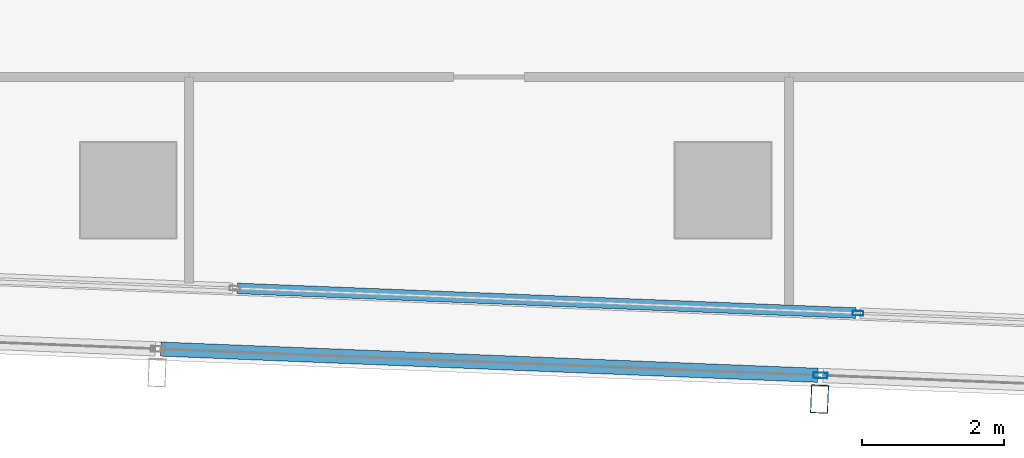
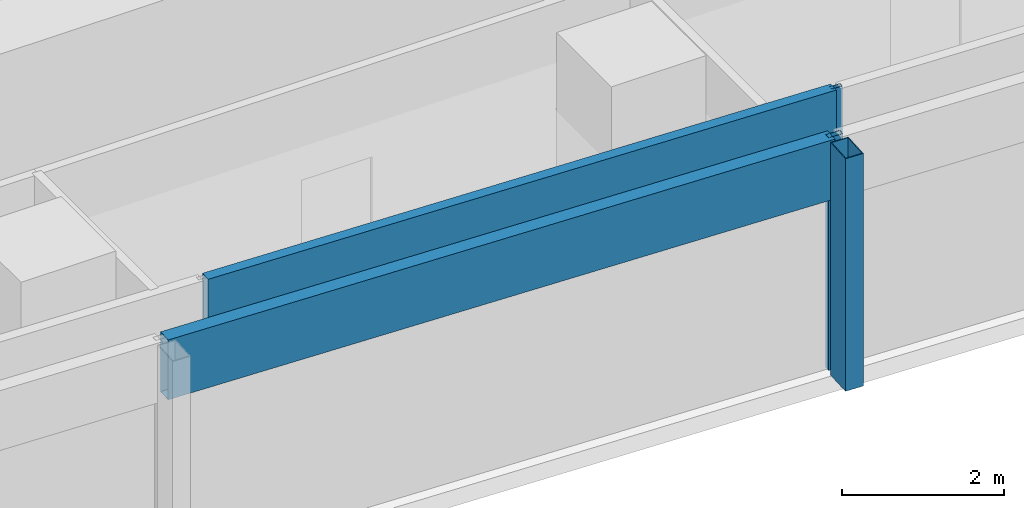
# One storey, part 7 of 40: 5 members, 2 elements without a shape of their own.
"""IFC4 building model written with IfcOpenShell, lengths in metres."""

import ifcopenshell
import ifcopenshell.guid

model = None  # the IFC model being written
_history = None  # IfcOwnerHistory: only IFC2X3 demands one
_inside = {}  # id of a spatial element -> (the spatial element, [elements in it])
_under = {}  # id of a project, library or spatial element -> (it, [spatial elements below it])
_declared = {}  # id of a project -> (the project, [libraries it declares])
_typed = {}  # id of a type object -> (the type object, [elements of that type])
_made_of = {}  # id of a material, layer set ... -> (it, [elements and type objects made of it])


def new_model(schema):
    """Start an empty IFC model of exactly this schema.

    Asked for "IFC4X3", IfcOpenShell would pick the latest addendum, in which some entities
    have other attributes; the version numbers below select the first issue.
    IFC2X3 requires an IfcOwnerHistory on every rooted entity: one is made here for all.
    """
    global model, _history
    if schema == "IFC4X3":
        model = ifcopenshell.file(schema_version=(4, 3, 0, 0))
    else:
        model = ifcopenshell.file(schema=schema)
    _inside.clear()
    _under.clear()
    _declared.clear()
    _typed.clear()
    _made_of.clear()
    _history = None
    if model.schema == "IFC2X3":
        org = make("IfcOrganization", Name="unknown")
        user = make(
            "IfcPersonAndOrganization",
            ThePerson=make("IfcPerson", FamilyName="unknown"),
            TheOrganization=org,
        )
        app = make(
            "IfcApplication",
            ApplicationDeveloper=org,
            Version="unknown",
            ApplicationFullName="unknown",
            ApplicationIdentifier="unknown",
        )
        _history = make(
            "IfcOwnerHistory",
            OwningUser=user,
            OwningApplication=app,
            ChangeAction="ADDED",
            CreationDate=0,
        )
    return model


def make(cls, **values):
    """One entity of the class cls with the attributes given. An attribute that is None is left unset."""
    return model.create_entity(
        cls, **{name: value for name, value in values.items() if value is not None}
    )


def rooted(cls, **values):
    """An entity with a GlobalId (a new one), such as an element, a storey or a relation."""
    return make(cls, GlobalId=ifcopenshell.guid.new(), OwnerHistory=_history, **values)


def si_unit(unit_type, name, prefix=None):
    """IfcSIUnit, for example si_unit("LENGTHUNIT", "METRE", prefix="MILLI")."""
    return make("IfcSIUnit", UnitType=unit_type, Prefix=prefix, Name=name)


def assignment(units):
    """IfcUnitAssignment: the units of a project."""
    return None if units is None else make("IfcUnitAssignment", Units=units)


def point(xyz):
    """IfcCartesianPoint."""
    return None if xyz is None else make("IfcCartesianPoint", Coordinates=xyz)


def direction(xyz):
    """IfcDirection."""
    return None if xyz is None else make("IfcDirection", DirectionRatios=xyz)


def frame(location, z_axis=None, x_axis=None):
    """IfcAxis2Placement3D, a coordinate frame: its origin and axes. An axis left out is left unset."""
    return make(
        "IfcAxis2Placement3D",
        Location=point(location),
        Axis=direction(z_axis),
        RefDirection=direction(x_axis),
    )


def frame_2d(location, x_axis=None):
    """IfcAxis2Placement2D, a coordinate frame in the plane: its origin and x axis."""
    return make(
        "IfcAxis2Placement2D", Location=point(location), RefDirection=direction(x_axis)
    )


def origin():
    """The frame at (0, 0, 0) with its axes left unset."""
    return frame((0.0, 0.0, 0.0))


def origin_2d():
    """The frame at (0, 0) in the plane with its x axis left unset."""
    return frame_2d((0.0, 0.0))


def place(relative_to, where):
    """IfcLocalPlacement: puts the frame where relative to a parent placement (None: the world)."""
    return make(
        "IfcLocalPlacement", PlacementRelTo=relative_to, RelativePlacement=where
    )


def context(
    kind, dimensions, precision=None, world=None, true_north=None, identifier=None
):
    """IfcGeometricRepresentationContext, for example the 3D "Model" context."""
    return make(
        "IfcGeometricRepresentationContext",
        ContextIdentifier=identifier,
        ContextType=kind,
        CoordinateSpaceDimension=dimensions,
        Precision=precision,
        WorldCoordinateSystem=world,
        TrueNorth=true_north,
    )


def subcontext(parent, identifier, kind, view, scale=None):
    """IfcGeometricRepresentationSubContext, for example "Body" below "Model"."""
    return make(
        "IfcGeometricRepresentationSubContext",
        ContextIdentifier=identifier,
        ContextType=kind,
        ParentContext=parent,
        TargetScale=scale,
        TargetView=view,
    )


def project(units=None, contexts=None):
    """IfcProject with its units and contexts."""
    return rooted(
        "IfcProject",
        Name="project",
        RepresentationContexts=contexts,
        UnitsInContext=assignment(units),
    )


def spatial(cls, under=None, at=None, **own):
    """A site, building, storey or space (cls), placed at a placement, below another one or the project."""
    s = rooted(cls, ObjectPlacement=at, **own)
    if under is not None:
        _under.setdefault(under.id(), (under, []))[1].append(s)
    return s


def profile(cls, at=None, kind="AREA", **sizes):
    """A parametric profile (cls). Its sizes go by their IFC names, for example OverallWidth=200.0."""
    return make(cls, ProfileType=kind, Position=at, **sizes)


def hollow_rectangle(**sizes):
    """IfcRectangleHollowProfileDef."""
    return profile("IfcRectangleHollowProfileDef", **sizes)


def extrude(swept, where, along, depth):
    """IfcExtrudedAreaSolid: the profile swept, set in the frame where, extruded along a direction by depth."""
    return make(
        "IfcExtrudedAreaSolid",
        SweptArea=swept,
        Position=where,
        ExtrudedDirection=direction(along),
        Depth=depth,
    )


def shape(context_of_items, identifier, shape_type, items):
    """IfcShapeRepresentation: the items that make up one representation, for example the "Body"."""
    return make(
        "IfcShapeRepresentation",
        ContextOfItems=context_of_items,
        RepresentationIdentifier=identifier,
        RepresentationType=shape_type,
        Items=items,
    )


def material(Name=None, Category=None):
    """IfcMaterial."""
    return make("IfcMaterial", Name=Name, Category=Category)


def material_profile(
    of_material, cross_section, Name=None, Category=None, Priority=None
):
    """IfcMaterialProfile: a cross section and its material."""
    return make(
        "IfcMaterialProfile",
        Name=Name,
        Material=of_material,
        Profile=cross_section,
        Priority=Priority,
        Category=Category,
    )


def profile_set(profiles, Name=None, composite=None):
    """IfcMaterialProfileSet."""
    return make(
        "IfcMaterialProfileSet",
        Name=Name,
        MaterialProfiles=profiles,
        CompositeProfile=composite,
    )


def made_of(thing, what):
    """Note that an element or type object is made of a material, layer set ...; save() writes the relation."""
    if what is not None:
        _made_of.setdefault(what.id(), (what, []))[1].append(thing)
    return thing


def type_object(cls, material=None, **own):
    """A type object (cls), such as IfcWallType, which elements share."""
    return made_of(rooted(cls, **own), material)


def element(
    cls,
    number,
    at=None,
    inside=None,
    cuts=None,
    type_object=None,
    material=None,
    context=None,
    identifier="Body",
    shape_type=None,
    held_by="IfcProductDefinitionShape",
    body=None,
    shapes=None,
    **own,
):
    """One element of the class cls, such as IfcWall. Its Tag is "e" and its number.

    at: its placement. inside: the storey or other place that contains it. cuts: it is an
    opening in that element (IfcRelVoidsElement). A single representation is given by context,
    identifier, shape_type and body (its items); several are given by shapes. held_by: the class
    of the entity that holds the representations. save() writes the other relations.
    """
    e = rooted(cls, Tag="e%d" % number, ObjectPlacement=at, **own)
    if body is not None:
        shapes = [shape(context, identifier, shape_type, body)]
    if shapes is not None:
        e.Representation = make(held_by, Representations=shapes)
    if inside is not None:
        _inside.setdefault(inside.id(), (inside, []))[1].append(e)
    if cuts is not None:
        rooted(
            "IfcRelVoidsElement", RelatingBuildingElement=cuts, RelatedOpeningElement=e
        )
    if type_object is not None:
        _typed.setdefault(type_object.id(), (type_object, []))[1].append(e)
    return made_of(e, material)


def aggregate(whole, parts):
    """IfcRelAggregates: a whole, such as a stair, and the parts it consists of."""
    return rooted("IfcRelAggregates", RelatingObject=whole, RelatedObjects=parts)


def save(model, path):
    """Write the relations noted so far, then the file.

    IfcRelAggregates (storeys below a building ...), IfcRelContainedInSpatialStructure (elements
    in a storey), IfcRelDefinesByType, IfcRelAssociatesMaterial and IfcRelDeclares: one each for
    every whole, place, type object, material and project.
    """
    for whole, parts in _under.values():
        aggregate(whole, parts)
    for where, things in _inside.values():
        rooted(
            "IfcRelContainedInSpatialStructure",
            RelatedElements=things,
            RelatingStructure=where,
        )
    for kind, things in _typed.values():
        rooted("IfcRelDefinesByType", RelatedObjects=things, RelatingType=kind)
    for what, things in _made_of.values():
        rooted("IfcRelAssociatesMaterial", RelatedObjects=things, RelatingMaterial=what)
    for by, libraries in _declared.values():
        rooted("IfcRelDeclares", RelatingContext=by, RelatedDefinitions=libraries)
    model.write(path)


model = new_model("IFC4")

# Units and contexts
model_context = context("Model", 3, precision=1e-05, world=origin(), true_north=direction((0.0, 1.0)))
body_context = subcontext(model_context, "Body", "Model", "MODEL_VIEW")
ifc_project = project(units=[si_unit("LENGTHUNIT", "METRE"), si_unit("AREAUNIT", "SQUARE_METRE"), si_unit("VOLUMEUNIT", "CUBIC_METRE"), si_unit("PLANEANGLEUNIT", "RADIAN"), si_unit("MASSUNIT", "GRAM", prefix="KILO")], contexts=[model_context])

# Site, building, storey
site_placement = place(None, origin())
site = spatial("IfcSite", under=ifc_project, at=site_placement, CompositionType="ELEMENT")
building_placement = place(site_placement, origin())
building = spatial("IfcBuilding", under=site, at=building_placement, Name="Rekha Terrace Tower", CompositionType="ELEMENT")
storey_placement = place(building_placement, frame((0.0, 0.0, 210.199951171875)))
storey = spatial("IfcBuildingStorey", under=building, at=storey_placement, Name="L53", CompositionType="ELEMENT", Elevation=210.199951171875)

# Curtain wall, member
ifc_material_1 = material(Name="Aluminium framing", Category="aluminium")
curtain_wall_type_1 = type_object("IfcCurtainWallType", Name="CW2 double skin outer glazing", PredefinedType="USERDEFINED", material=ifc_material_1)
curtain_wall_1_placement = place(storey_placement, origin())
curtain_wall_1 = element("IfcCurtainWall", 1, at=curtain_wall_1_placement, inside=storey, type_object=curtain_wall_type_1, Name="CW2 double skin outer glazing", ObjectType="DOUBLE SKIN OUTER GLAZING", PredefinedType="USERDEFINED")
ifc_material_2 = material(Name="Steel S355 with fluorocarbon finish", Category="steel")
ifc_material_profile_1 = material_profile(ifc_material_2, hollow_rectangle(XDim=0.25, YDim=0.39990234375, WallThickness=0.012451171875, at=origin_2d()), Name="RHS400x250x12.5")
ifc_profile_set_1 = profile_set([ifc_material_profile_1], Name="Steel S355 with fluorocarbon finish")
member_type_1 = type_object("IfcMemberType", Name="BL1 facade blade RHS 400 x 250", PredefinedType="USERDEFINED", material=ifc_profile_set_1)
member_1_placement = place(storey_placement, frame((34.9638671875, 13.84912109375, 0.0), z_axis=(0.0, 0.0, 1.0), x_axis=(0.999204797763, -0.039871946621, 0.0)))
member_1 = element("IfcMember", 2, at=member_1_placement, type_object=member_type_1, Name="Facade blade", ObjectType="FACADE BLADE", PredefinedType="USERDEFINED", context=body_context, shape_type="SweptSolid", body=[
    extrude(hollow_rectangle(XDim=0.25, YDim=0.39990234375, WallThickness=0.012451171875, at=origin_2d()), origin(), (0.0, 0.0, 1.0), 3.5),
])

# Curtain wall, members
curtain_wall_type_2 = type_object("IfcCurtainWallType", Name="CW1 double skin inner glazing", PredefinedType="USERDEFINED", material=ifc_material_1)
curtain_wall_2_placement = place(storey_placement, origin())
curtain_wall_2 = element("IfcCurtainWall", 3, at=curtain_wall_2_placement, inside=storey, type_object=curtain_wall_type_2, Name="CW1 double skin inner glazing", ObjectType="DOUBLE SKIN INNER GLAZING", PredefinedType="USERDEFINED")
ifc_material_3 = material(Name="Aluminium mullion section", Category="aluminium")
ifc_material_profile_2 = material_profile(ifc_material_3, hollow_rectangle(XDim=0.06494140625, YDim=0.14990234375, WallThickness=0.00390625, at=origin_2d()), Name="AL RHS 65x150")
ifc_profile_set_2 = profile_set([ifc_material_profile_2], Name="Aluminium mullion section")
member_type_2 = type_object("IfcMemberType", Name="CW1 mullion RHS 65 x 150", PredefinedType="MULLION", material=ifc_profile_set_2)
member_2_placement = place(storey_placement, frame((35.507568359375, 15.063232421875, 0.0), z_axis=(0.0, 0.0, 1.0), x_axis=(0.039872497061, 0.999204775798, 0.0)))
member_2 = element("IfcMember", 4, at=member_2_placement, type_object=member_type_2, Name="CW1 mullion 4", PredefinedType="MULLION", context=body_context, shape_type="SweptSolid", body=[
    extrude(hollow_rectangle(XDim=0.06494140625, YDim=0.14990234375, WallThickness=0.00390625, at=origin_2d()), origin(), (0.0, 0.0, 1.0), 3.5),
])
ifc_material_4 = material(Name="Insulated aluminium spandrel box", Category="aluminium")
ifc_material_profile_3 = material_profile(ifc_material_4, hollow_rectangle(XDim=0.14990234375, YDim=0.89990234375, WallThickness=0.0029296875, at=origin_2d()), Name="AL SPANDREL BOX 150x900")
ifc_profile_set_3 = profile_set([ifc_material_profile_3], Name="Insulated aluminium spandrel box")
member_type_3 = type_object("IfcMemberType", Name="CW1 spandrel transom 150 x 900", PredefinedType="USERDEFINED", material=ifc_profile_set_3)
member_3_placement = place(storey_placement, frame((26.73583984375, 15.413330078125, 3.050048828125), z_axis=(0.999205233714, -0.039861020051, 0.0), x_axis=(0.039861020051, 0.999205233714, 0.0)))
member_3 = element("IfcMember", 5, at=member_3_placement, type_object=member_type_3, Name="CW1 spandrel transom 3", ObjectType="TRANSOM", PredefinedType="USERDEFINED", context=body_context, shape_type="SweptSolid", body=[
    extrude(hollow_rectangle(XDim=0.14990234375, YDim=0.89990234375, WallThickness=0.0029296875, at=origin_2d()), origin(), (0.0, 0.0, 1.0), 8.74609375),
])
aggregate(curtain_wall_2, [member_2, member_3])

# Member
ifc_material_profile_4 = material_profile(ifc_material_3, hollow_rectangle(XDim=0.080078125, YDim=0.199951171875, WallThickness=0.00390625, at=origin_2d()), Name="AL RHS 80x200")
ifc_profile_set_4 = profile_set([ifc_material_profile_4], Name="Aluminium mullion section")
member_type_4 = type_object("IfcMemberType", Name="CW2 mullion RHS 80 x 200", PredefinedType="MULLION", material=ifc_profile_set_4)
member_4_placement = place(storey_placement, frame((34.97705078125, 14.183837890625, 0.0), z_axis=(0.0, 0.0, 1.0), x_axis=(0.039872497044, 0.999204775799, 0.0)))
member_4 = element("IfcMember", 6, at=member_4_placement, type_object=member_type_4, Name="CW2 mullion 4", PredefinedType="MULLION", context=body_context, shape_type="SweptSolid", body=[
    extrude(hollow_rectangle(XDim=0.080078125, YDim=0.199951171875, WallThickness=0.00390625, at=origin_2d()), origin(), (0.0, 0.0, 1.0), 3.5),
])

ifc_material_profile_5 = material_profile(ifc_material_4, hollow_rectangle(XDim=0.199951171875, YDim=0.89990234375, WallThickness=0.0029296875, at=origin_2d()), Name="AL SPANDREL BOX 200x900")
ifc_profile_set_5 = profile_set([ifc_material_profile_5], Name="Insulated aluminium spandrel box")
member_type_5 = type_object("IfcMemberType", Name="CW2 spandrel transom 200 x 900", PredefinedType="USERDEFINED", material=ifc_profile_set_5)
member_5_placement = place(storey_placement, frame((25.658447265625, 14.5556640625, 3.050048828125), z_axis=(0.999204356934, -0.039882992408, 0.0), x_axis=(0.039882992408, 0.999204356934, 0.0)))
member_5 = element("IfcMember", 7, at=member_5_placement, type_object=member_type_5, Name="CW2 spandrel transom 3", ObjectType="TRANSOM", PredefinedType="USERDEFINED", context=body_context, shape_type="SweptSolid", body=[
    extrude(hollow_rectangle(XDim=0.199951171875, YDim=0.89990234375, WallThickness=0.0029296875, at=origin_2d()), origin(), (0.0, 0.0, 1.0), 9.2861328125),
])

aggregate(curtain_wall_1, [member_4, member_5, member_1])

save(model, "model.ifc")
